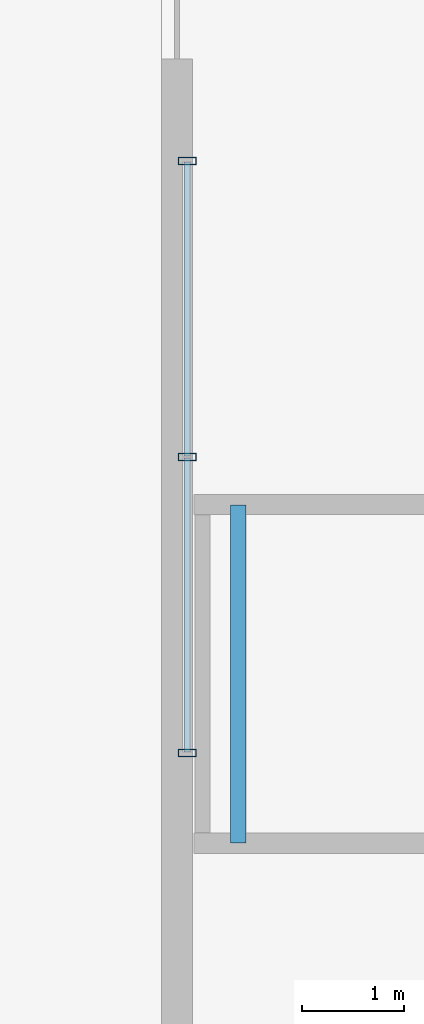
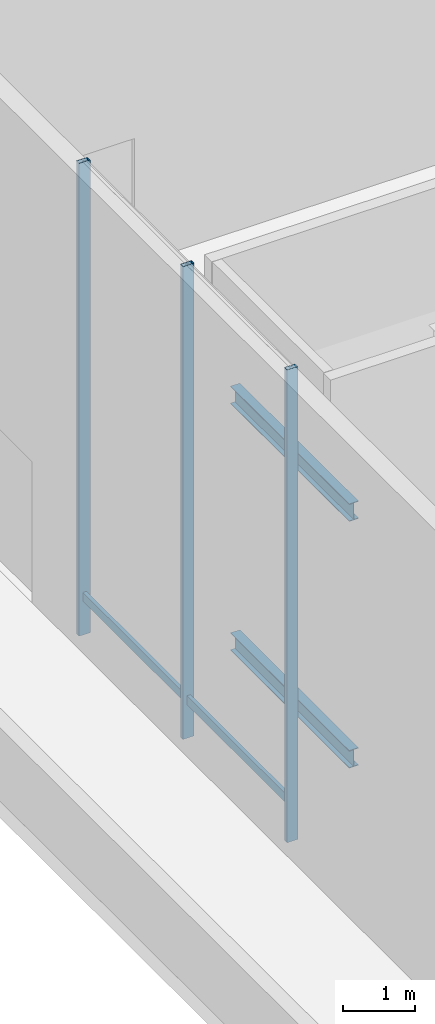
# One storey, part 2 of 12: 5 members, 2 beams, 1 element without a shape of its own.
"""IFC4 building model written with IfcOpenShell, lengths in metres."""

from ifc_helpers import new_model, si_unit, direction, frame, origin, origin_2d, place, context, subcontext, project, spatial, hollow_rectangle, i_section, extrude, material, layer, layer_set, material_profile, profile_set, type_object, element, aggregate, save


model = new_model("IFC4")

# Units and contexts
model_context = context("Model", 3, precision=1e-05, world=origin(), true_north=direction((0.0, 1.0)))
body_context = subcontext(model_context, "Body", "Model", "MODEL_VIEW")
ifc_project = project(units=[si_unit("LENGTHUNIT", "METRE"), si_unit("AREAUNIT", "SQUARE_METRE"), si_unit("VOLUMEUNIT", "CUBIC_METRE"), si_unit("PLANEANGLEUNIT", "RADIAN"), si_unit("MASSUNIT", "GRAM", prefix="KILO")], contexts=[model_context])

# Site, building, storey
site_placement = place(None, origin())
site = spatial("IfcSite", under=ifc_project, at=site_placement, CompositionType="ELEMENT")
building_placement = place(site_placement, origin())
building = spatial("IfcBuilding", under=site, at=building_placement, Name="Belovzor Exchange Tower", CompositionType="ELEMENT")
storey_placement = place(building_placement, origin())
storey = spatial("IfcBuildingStorey", under=building, at=storey_placement, Name="L01", CompositionType="ELEMENT", Elevation=0.0)

# Beams
ifc_material_1 = material(Name="Steel S355", Category="steel")
ifc_material_profile_1 = material_profile(ifc_material_1, i_section(OverallWidth=0.14990234375, OverallDepth=0.300048828125, WebThickness=0.007080078125, FlangeThickness=0.0107421875, at=origin_2d()))
ifc_profile_set_1 = profile_set([ifc_material_profile_1], Name="Steel S355")
beam_type = type_object("IfcBeamType", Name="Secondary Trim Floor Joist IPE 300", PredefinedType="BEAM", material=ifc_profile_set_1)
for number, where, z_axis, x_axis, name in (
    (1, (9.75, 23.429931640625, 1.75), (0.0, -1.0, 0.0), (1.0, 0.0, 0.0), "FJ-300 Secondary Trim Floor Joist IPE 300"),
    (2, (9.75, 23.429931640625, 5.949951171875), (0.0, -1.0, 0.0), (1.0, 0.0, 0.0), "FJ-300 Secondary Trim Floor Joist IPE 300"),
):
    element("IfcBeam", number, at=place(storey_placement, frame(where, z_axis=z_axis, x_axis=x_axis)), inside=storey, type_object=beam_type, Name=name, PredefinedType="BEAM", context=body_context, shape_type="SweptSolid", body=[
        extrude(i_section(OverallWidth=0.14990234375, OverallDepth=0.300048828125, WebThickness=0.007080078125, FlangeThickness=0.0107421875, at=origin_2d()), origin(), (0.0, 0.0, 1.0), 3.309814453125),
    ])

# Curtain wall, members
ifc_material_2 = material(Name="Anodised Aluminium Framing", Category="aluminium")
ifc_layer = layer(ifc_material_2, 0.2099609375)
ifc_layer_set = layer_set([ifc_layer], Name="Anodised Aluminium Framing")
curtain_wall_type = type_object("IfcCurtainWallType", Name="Double-Height Concourse & Gallery Curtain Wall", PredefinedType="NOTDEFINED", material=ifc_layer_set)
curtain_wall_placement = place(storey_placement, origin())
curtain_wall = element("IfcCurtainWall", 3, at=curtain_wall_placement, inside=storey, type_object=curtain_wall_type, Name="CW2 Double-Height Concourse & Gallery Curtain Wall L01", PredefinedType="NOTDEFINED")
ifc_material_3 = material(Name="Steel S355", Category="steel")
ifc_material_profile_2 = material_profile(ifc_material_3, hollow_rectangle(XDim=0.074951171875, YDim=0.179931640625, WallThickness=0.0048828125, at=origin_2d()))
ifc_profile_set_2 = profile_set([ifc_material_profile_2], Name="Steel S355")
member_type_1 = type_object("IfcMemberType", Name="Thermally Broken Curtain Wall Mullion 180x75", PredefinedType="MULLION", material=ifc_profile_set_2)
member_1_placement = place(storey_placement, frame((9.25, 21.0, 0.0), z_axis=(0.0, 0.0, 1.0), x_axis=(0.0, 1.0, 0.0)))
member_1 = element("IfcMember", 4, at=member_1_placement, type_object=member_type_1, Name="CW-M180 Curtain Wall Mullion 1", PredefinedType="MULLION", context=body_context, shape_type="SweptSolid", body=[
    extrude(hollow_rectangle(XDim=0.074951171875, YDim=0.179931640625, WallThickness=0.0048828125, at=origin_2d()), origin(), (0.0, 0.0, 1.0), 8.050048828125),
])
member_2_placement = place(storey_placement, frame((9.25, 23.89990234375, 0.0), z_axis=(0.0, 0.0, 1.0), x_axis=(0.0, 1.0, 0.0)))
member_2 = element("IfcMember", 5, at=member_2_placement, type_object=member_type_1, Name="CW-M180 Curtain Wall Mullion 2", PredefinedType="MULLION", context=body_context, shape_type="SweptSolid", body=[
    extrude(hollow_rectangle(XDim=0.074951171875, YDim=0.179931640625, WallThickness=0.0048828125, at=origin_2d()), origin(), (0.0, 0.0, 1.0), 8.050048828125),
])
member_3_placement = place(storey_placement, frame((9.25, 26.800048828125, 0.0), z_axis=(0.0, 0.0, 1.0), x_axis=(0.0, 1.0, 0.0)))
member_3 = element("IfcMember", 6, at=member_3_placement, type_object=member_type_1, Name="CW-M180 Curtain Wall Mullion 3", PredefinedType="MULLION", context=body_context, shape_type="SweptSolid", body=[
    extrude(hollow_rectangle(XDim=0.074951171875, YDim=0.179931640625, WallThickness=0.0048828125, at=origin_2d()), origin(), (0.0, 0.0, 1.0), 8.050048828125),
])
ifc_material_4 = material(Name="Steel S355", Category="steel")
ifc_material_profile_3 = material_profile(ifc_material_4, hollow_rectangle(XDim=0.06005859375, YDim=0.14990234375, WallThickness=0.00390625, at=origin_2d()))
ifc_profile_set_3 = profile_set([ifc_material_profile_3], Name="Steel S355")
member_type_2 = type_object("IfcMemberType", Name="Thermally Broken Curtain Wall Transom 150x60", PredefinedType="USERDEFINED", material=ifc_profile_set_3)
member_4_placement = place(storey_placement, frame((9.25, 21.008056640625, 0.64990234375), z_axis=(0.0, 1.0, 0.0), x_axis=(-1.0, 0.0, 0.0)))
member_4 = element("IfcMember", 7, at=member_4_placement, type_object=member_type_2, Name="CW-T150 Curtain Wall Transom 1", ObjectType="TRANSOM", PredefinedType="USERDEFINED", context=body_context, shape_type="SweptSolid", body=[
    extrude(hollow_rectangle(XDim=0.06005859375, YDim=0.14990234375, WallThickness=0.00390625, at=origin_2d()), origin(), (0.0, 0.0, 1.0), 2.884033203125),
])
member_5_placement = place(storey_placement, frame((9.25, 23.907958984375, 0.64990234375), z_axis=(0.0, 1.0, 0.0), x_axis=(-1.0, 0.0, 0.0)))
member_5 = element("IfcMember", 8, at=member_5_placement, type_object=member_type_2, Name="CW-T150 Curtain Wall Transom 2", ObjectType="TRANSOM", PredefinedType="USERDEFINED", context=body_context, shape_type="SweptSolid", body=[
    extrude(hollow_rectangle(XDim=0.06005859375, YDim=0.14990234375, WallThickness=0.00390625, at=origin_2d()), origin(), (0.0, 0.0, 1.0), 2.884033203125),
])
aggregate(curtain_wall, [member_1, member_2, member_3, member_4, member_5])

save(model, "model.ifc")
